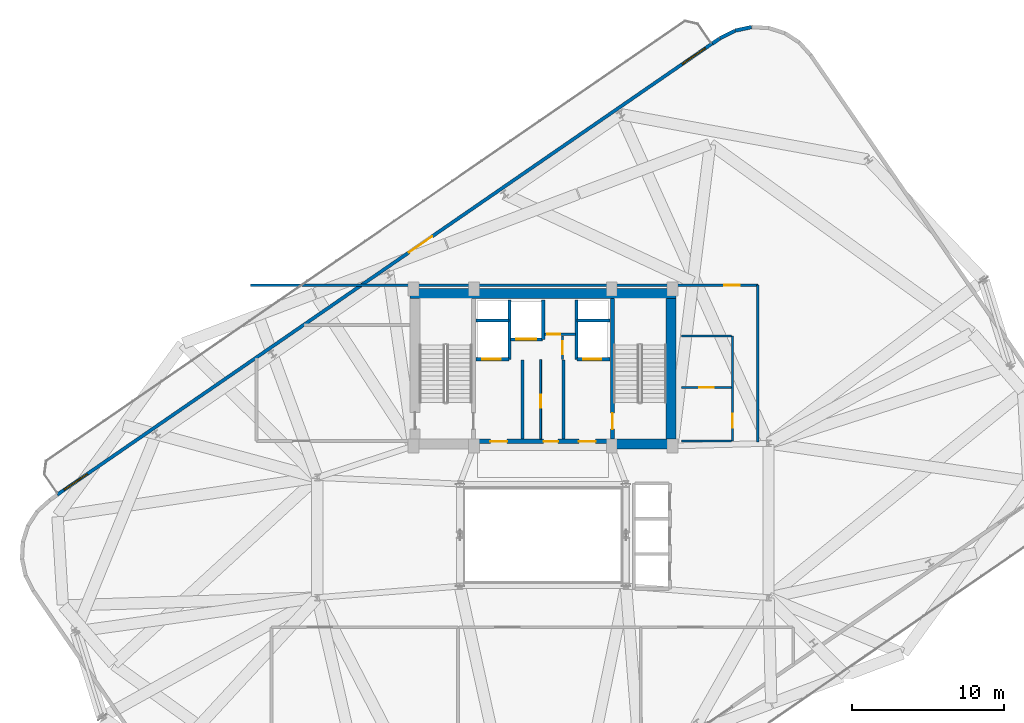
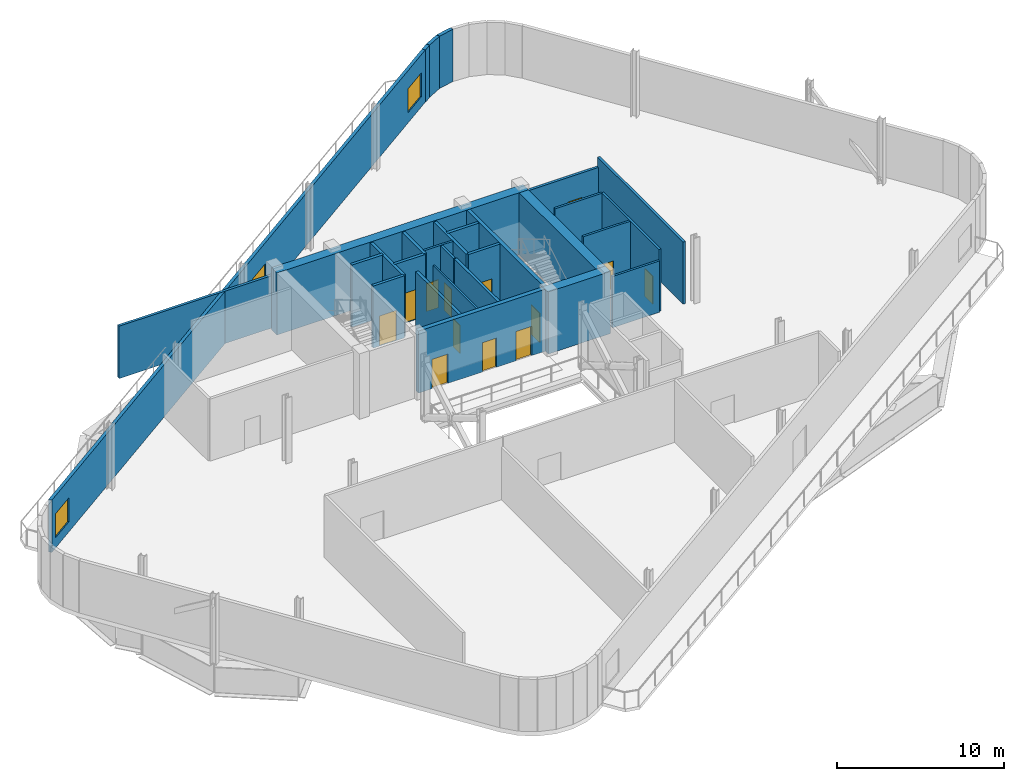
# One storey, part 8 of 13: 28 walls, 14 doors, 2 windows, 16 openings.
"""IFC4 building model written with IfcOpenShell, lengths in metres."""

from ifc_helpers import new_model, si_unit, direction, frame, frame_2d, origin, place, context, subcontext, project, spatial, rectangle, extrude, material, layer, layer_set, type_object, element, fill, save


model = new_model("IFC4")

# Units and contexts
model_context = context("Model", 3, precision=1e-05, world=origin(), true_north=direction((0.0, 1.0)))
body_context = subcontext(model_context, "Body", "Model", "MODEL_VIEW")
ifc_project = project(units=[si_unit("LENGTHUNIT", "METRE"), si_unit("AREAUNIT", "SQUARE_METRE"), si_unit("VOLUMEUNIT", "CUBIC_METRE"), si_unit("PLANEANGLEUNIT", "RADIAN"), si_unit("MASSUNIT", "GRAM", prefix="KILO")], contexts=[model_context])

# Site, building, storey
site_placement = place(None, origin())
site = spatial("IfcSite", under=ifc_project, at=site_placement, CompositionType="ELEMENT")
building_placement = place(site_placement, origin())
building = spatial("IfcBuilding", under=site, at=building_placement, Name="Varnelok Gate Tower", CompositionType="ELEMENT")
storey_placement = place(building_placement, frame((0.0, 0.0, 253.39990234375)))
storey = spatial("IfcBuildingStorey", under=building, at=storey_placement, Name="L65", CompositionType="ELEMENT", Elevation=253.39990234375)

# Wall, openings, door, windows
ifc_material_1 = material(Name="Concrete C45/55", Category="concrete")
ifc_layer_1 = layer(ifc_material_1, 0.219970703125)
ifc_layer_set_1 = layer_set([ifc_layer_1], Name="Concrete C45/55")
wall_type_1 = type_object("IfcWallType", Name="EW-BALC-220", PredefinedType="SOLIDWALL", material=ifc_layer_set_1)
wall_1_placement = place(storey_placement, frame((7.33056640625, 25.556640625, 0.0), z_axis=(0.0, 0.0, 1.0), x_axis=(0.823530664362, 0.567271755735, 0.0)))
wall_1 = element("IfcWall", 1, at=wall_1_placement, inside=storey, type_object=wall_type_1, Name="L65 North Terrace Envelope Wall 2", PredefinedType="SOLIDWALL", context=body_context, shape_type="SweptSolid", body=[
    extrude(rectangle(XDim=52.199951171875, YDim=0.219970703125, at=frame_2d((26.10009765625, 0.0))), origin(), (0.0, 0.0, 1.0), 3.830078125),
])
opening_1_placement = place(wall_1_placement, frame((28.025146484375, 0.0, 0.0)))
opening_1 = element("IfcOpeningElement", 2, at=opening_1_placement, cuts=wall_1, Name="Opening SGD-1", PredefinedType="OPENING", context=body_context, shape_type="SweptSolid", body=[
    extrude(rectangle(XDim=1.85009765625, YDim=2.300048828125, at=frame_2d((0.925048828125, 1.14990234375))), frame((0.0, 0.119873046875, 0.0), z_axis=(0.0, -1.0, 0.0), x_axis=(1.0, 0.0, 0.0)), (0.0, 0.0, 1.0), 0.239990234375),
])
opening_2_placement = place(wall_1_placement, frame((0.550048828125, 0.0, 0.75)))
opening_2 = element("IfcOpeningElement", 3, at=opening_2_placement, cuts=wall_1, Name="Opening WN5", PredefinedType="OPENING", context=body_context, shape_type="SweptSolid", body=[
    extrude(rectangle(XDim=1.85009765625, YDim=1.75, at=frame_2d((0.925048828125, 0.875))), frame((0.0, 0.119873046875, 0.0), z_axis=(0.0, -1.0, 0.0), x_axis=(1.0, 0.0, 0.0)), (0.0, 0.0, 1.0), 0.239990234375),
])
opening_3_placement = place(wall_1_placement, frame((49.800048828125, 0.0, 0.75)))
opening_3 = element("IfcOpeningElement", 4, at=opening_3_placement, cuts=wall_1, Name="Opening WN5", PredefinedType="OPENING", context=body_context, shape_type="SweptSolid", body=[
    extrude(rectangle(XDim=1.85009765625, YDim=1.75, at=frame_2d((0.925048828125, 0.875))), frame((0.0, 0.119873046875, 0.0), z_axis=(0.0, -1.0, 0.0), x_axis=(1.0, 0.0, 0.0)), (0.0, 0.0, 1.0), 0.239990234375),
])
ifc_material_2 = material(Name="Anodized Aluminum Alloy 6063-T6", Category="aluminium")
door_type_1 = type_object("IfcDoorType", Name="DR-EXT-SKYG1850", OperationType="DOUBLE_DOOR_SINGLE_SWING", PredefinedType="DOOR", material=ifc_material_2)
door_1_placement = place(opening_1_placement, origin())
door_1 = element("IfcDoor", 5, at=door_1_placement, inside=storey, type_object=door_type_1, Name="L65 North Sky Garden Glazed Door 2", OperationType="DOUBLE_DOOR_SINGLE_SWING", OverallHeight=2.300048828125, OverallWidth=1.85009765625, PredefinedType="DOOR", context=body_context, shape_type="SweptSolid", body=[
    extrude(rectangle(XDim=1.85009765625, YDim=2.300048828125, at=frame_2d((0.925048828125, 1.14990234375))), frame((0.0, 0.02490234375, 0.0), z_axis=(0.0, -1.0, 0.0), x_axis=(1.0, 0.0, 0.0)), (0.0, 0.0, 1.0), 0.050048828125),
])
fill(opening_1, door_1)
ifc_material_3 = material(Name="Low-E Laminated Double Glazing IGU", Category="glass")
window_type = type_object("IfcWindowType", Name="WN-RES-1850", PartitioningType="SINGLE_PANEL", PredefinedType="WINDOW", material=ifc_material_3)
window_1_placement = place(opening_2_placement, origin())
window_1 = element("IfcWindow", 6, at=window_1_placement, inside=storey, type_object=window_type, Name="L65 North Vision Window 2.1", OverallHeight=1.75, OverallWidth=1.85009765625, PartitioningType="SINGLE_PANEL", PredefinedType="WINDOW", context=body_context, shape_type="SweptSolid", body=[
    extrude(rectangle(XDim=1.85009765625, YDim=1.75, at=frame_2d((0.925048828125, 0.875))), frame((0.0, 0.030029296875, 0.0), z_axis=(0.0, -1.0, 0.0), x_axis=(1.0, 0.0, 0.0)), (0.0, 0.0, 1.0), 0.06005859375),
])
fill(opening_2, window_1)
window_2_placement = place(opening_3_placement, origin())
window_2 = element("IfcWindow", 7, at=window_2_placement, inside=storey, type_object=window_type, Name="L65 North Vision Window 2.2", OverallHeight=1.75, OverallWidth=1.85009765625, PartitioningType="SINGLE_PANEL", PredefinedType="WINDOW", context=body_context, shape_type="SweptSolid", body=[
    extrude(rectangle(XDim=1.85009765625, YDim=1.75, at=frame_2d((0.925048828125, 0.875))), frame((0.0, 0.030029296875, 0.0), z_axis=(0.0, -1.0, 0.0), x_axis=(1.0, 0.0, 0.0)), (0.0, 0.0, 1.0), 0.06005859375),
])
fill(opening_3, window_2)

# Walls
ifc_layer_2 = layer(ifc_material_1, 0.239990234375)
ifc_layer_set_2 = layer_set([ifc_layer_2], Name="Concrete C45/55")
wall_type_2 = type_object("IfcWallType", Name="EW-PLANT-240", PredefinedType="SOLIDWALL", material=ifc_layer_set_2)
wall_2_placement = place(storey_placement, frame((52.8818359375, 56.235595703125, 0.0), z_axis=(0.0, 0.0, 1.0), x_axis=(-0.977952671439, -0.208826656407, 0.0)))
element("IfcWall", 8, at=wall_2_placement, inside=storey, type_object=wall_type_2, Name="L65 Perimeter Facade Closure Wall 20", PredefinedType="SOLIDWALL", context=body_context, shape_type="SweptSolid", body=[
    extrude(rectangle(XDim=1.092041015625, YDim=0.239990234375, at=frame_2d((0.5458984375, 0.0))), origin(), (0.0, 0.0, 1.0), 3.830078125),
])
wall_3_placement = place(storey_placement, frame((51.791748046875, 55.99609375, 0.0), z_axis=(0.0, 0.0, 1.0), x_axis=(-0.890576569363, -0.454833347613, 0.0)))
element("IfcWall", 9, at=wall_3_placement, inside=storey, type_object=wall_type_2, Name="L65 Perimeter Facade Closure Wall 21", PredefinedType="SOLIDWALL", context=body_context, shape_type="SweptSolid", body=[
    extrude(rectangle(XDim=1.099853515625, YDim=0.239990234375, at=frame_2d((0.5498046875, 0.0))), origin(), (0.0, 0.0, 1.0), 3.830078125),
])
wall_4_placement = place(storey_placement, frame((50.79150390625, 55.481689453125, 0.0), z_axis=(0.0, 0.0, 1.0), x_axis=(-0.823476316925, -0.567350645953, 0.0)))
element("IfcWall", 10, at=wall_4_placement, inside=storey, type_object=wall_type_2, Name="L65 Perimeter Facade Closure Wall 22", PredefinedType="SOLIDWALL", context=body_context, shape_type="SweptSolid", body=[
    extrude(rectangle(XDim=0.567138671875, YDim=0.239990234375, at=frame_2d((0.28369140625, 0.0))), origin(), (0.0, 0.0, 1.0), 3.830078125),
])

# Wall, opening, door
ifc_material_4 = material(Name="Gypsum Plasterboard Acoustic Partition", Category="gypsum")
ifc_layer_3 = layer(ifc_material_4, 0.179931640625)
ifc_layer_set_3 = layer_set([ifc_layer_3], Name="Gypsum Plasterboard Acoustic Partition")
wall_type_3 = type_object("IfcWallType", Name="PW-CORR-180", PredefinedType="PARTITIONING", material=ifc_layer_set_3)
wall_5_placement = place(storey_placement, frame((20.0, 39.300048828125, 0.0), z_axis=(0.0, 0.0, 1.0), x_axis=(1.0, 0.0, 0.0)))
wall_5 = element("IfcWall", 11, at=wall_5_placement, inside=storey, type_object=wall_type_3, Name="Interior Partition", PredefinedType="PARTITIONING", context=body_context, shape_type="SweptSolid", body=[
    extrude(rectangle(XDim=33.300048828125, YDim=0.179931640625, at=frame_2d((16.64990234375, 0.0))), origin(), (0.0, 0.0, 1.0), 3.839111328125),
])
opening_4_placement = place(wall_5_placement, frame((31.10009765625, 0.0, 0.0)))
opening_4 = element("IfcOpeningElement", 12, at=opening_4_placement, cuts=wall_5, Name="Opening D-I1", PredefinedType="OPENING", context=body_context, shape_type="SweptSolid", body=[
    extrude(rectangle(XDim=1.0, YDim=2.050048828125, at=frame_2d((0.5, 1.02490234375))), frame((0.0, 0.099853515625, 0.0), z_axis=(0.0, -1.0, 0.0), x_axis=(1.0, 0.0, 0.0)), (0.0, 0.0, 1.0), 0.199951171875),
])
ifc_material_5 = material(Name="Engineered Hardwood Timber", Category="wood")
door_type_2 = type_object("IfcDoorType", Name="DR-INT-1000", OperationType="NOTDEFINED", PredefinedType="DOOR", material=ifc_material_5)
door_2_placement = place(opening_4_placement, origin())
door_2 = element("IfcDoor", 13, at=door_2_placement, inside=storey, type_object=door_type_2, Name="L65 Sky Garden Lounge Door", OperationType="SINGLE_SWING_LEFT", OverallHeight=2.050048828125, OverallWidth=1.0, PredefinedType="DOOR", context=body_context, shape_type="SweptSolid", body=[
    extrude(rectangle(XDim=1.0, YDim=2.050048828125, at=frame_2d((0.5, 1.02490234375))), frame((0.0, 0.02490234375, 0.0), z_axis=(0.0, -1.0, 0.0), x_axis=(1.0, 0.0, 0.0)), (0.0, 0.0, 1.0), 0.050048828125),
])
fill(opening_4, door_2)

# Wall
wall_6_placement = place(storey_placement, frame((53.300048828125, 29.02001953125, 0.0), z_axis=(0.0, 0.0, 1.0), x_axis=(0.0, 1.0, 0.0)))
element("IfcWall", 14, at=wall_6_placement, inside=storey, type_object=wall_type_3, Name="Interior Partition", PredefinedType="PARTITIONING", context=body_context, shape_type="SweptSolid", body=[
    extrude(rectangle(XDim=10.280029296875, YDim=0.179931640625, at=frame_2d((5.14013671875, 0.0))), origin(), (0.0, 0.0, 1.0), 4.550048828125),
])

# Wall, opening, door
ifc_layer_4 = layer(ifc_material_4, 0.125)
ifc_layer_set_4 = layer_set([ifc_layer_4], Name="Gypsum Plasterboard Acoustic Partition")
wall_type_4 = type_object("IfcWallType", Name="PW-PART-125", PredefinedType="PARTITIONING", material=ifc_layer_set_4)
wall_7_placement = place(storey_placement, frame((39.050048828125, 29.199951171875, 0.0), z_axis=(0.0, 0.0, 1.0), x_axis=(0.0, 1.0, 0.0)))
wall_7 = element("IfcWall", 15, at=wall_7_placement, inside=storey, type_object=wall_type_4, Name="Interior Partition", PredefinedType="PARTITIONING", context=body_context, shape_type="SweptSolid", body=[
    extrude(rectangle(XDim=5.219970703125, YDim=0.125, at=frame_2d((2.60986328125, 0.0))), origin(), (0.0, 0.0, 1.0), 4.550048828125),
])
opening_5_placement = place(wall_7_placement, frame((2.050048828125, 0.0, 0.0)))
opening_5 = element("IfcOpeningElement", 16, at=opening_5_placement, cuts=wall_7, Name="Opening D-RS", PredefinedType="OPENING", context=body_context, shape_type="SweptSolid", body=[
    extrude(rectangle(XDim=0.85009765625, YDim=2.050048828125, at=frame_2d((0.425048828125, 1.02490234375))), frame((0.0, 0.072509765625, 0.0), z_axis=(0.0, -1.0, 0.0), x_axis=(1.0, 0.0, 0.0)), (0.0, 0.0, 1.0), 0.14501953125),
])
ifc_material_6 = material(Name="Galvanized Steel Grade S350GD", Category="steel")
door_type_3 = type_object("IfcDoorType", Name="DR-RISER-850", OperationType="NOTDEFINED", PredefinedType="DOOR", material=ifc_material_6)
door_3_placement = place(opening_5_placement, origin())
door_3 = element("IfcDoor", 17, at=door_3_placement, inside=storey, type_object=door_type_3, Name="L65 Housekeeping Linen Door", OperationType="SINGLE_SWING_LEFT", OverallHeight=2.050048828125, OverallWidth=0.85009765625, PredefinedType="DOOR", context=body_context, shape_type="SweptSolid", body=[
    extrude(rectangle(XDim=0.85009765625, YDim=2.050048828125, at=frame_2d((0.425048828125, 1.02490234375))), frame((0.0, 0.02490234375, 0.0), z_axis=(0.0, -1.0, 0.0), x_axis=(1.0, 0.0, 0.0)), (0.0, 0.0, 1.0), 0.050048828125),
])
fill(opening_5, door_3)

ifc_layer_5 = layer(ifc_material_4, 0.14990234375)
ifc_layer_set_5 = layer_set([ifc_layer_5], Name="Gypsum Plasterboard Acoustic Partition")
wall_type_5 = type_object("IfcWallType", Name="PW-PART-150", PredefinedType="PARTITIONING", material=ifc_layer_set_5)
wall_8_placement = place(storey_placement, frame((39.300048828125, 36.080078125, 0.0), z_axis=(0.0, 0.0, 1.0), x_axis=(1.0, 0.0, 0.0)))
wall_8 = element("IfcWall", 18, at=wall_8_placement, inside=storey, type_object=wall_type_5, Name="L65 Electrical Closet South Wall", PredefinedType="PARTITIONING", context=body_context, shape_type="SweptSolid", body=[
    extrude(rectangle(XDim=2.02001953125, YDim=0.14990234375, at=frame_2d((1.010009765625, 0.0))), origin(), (0.0, 0.0, 1.0), 4.550048828125),
])
opening_6_placement = place(wall_8_placement, frame((0.179931640625, 0.0, 0.0)))
opening_6 = element("IfcOpeningElement", 19, at=opening_6_placement, cuts=wall_8, Name="Opening D-RS", PredefinedType="OPENING", context=body_context, shape_type="SweptSolid", body=[
    extrude(rectangle(XDim=0.85009765625, YDim=2.050048828125, at=frame_2d((0.425048828125, 1.02490234375))), frame((0.0, 0.0849609375, 0.0), z_axis=(0.0, -1.0, 0.0), x_axis=(1.0, 0.0, 0.0)), (0.0, 0.0, 1.0), 0.169921875),
])
door_4_placement = place(opening_6_placement, origin())
door_4 = element("IfcDoor", 20, at=door_4_placement, inside=storey, type_object=door_type_3, Name="L65 Electrical Closet Door", OperationType="SINGLE_SWING_RIGHT", OverallHeight=2.050048828125, OverallWidth=0.85009765625, PredefinedType="DOOR", context=body_context, shape_type="SweptSolid", body=[
    extrude(rectangle(XDim=0.85009765625, YDim=2.050048828125, at=frame_2d((0.425048828125, 1.02490234375))), frame((0.0, 0.02490234375, 0.0), z_axis=(0.0, -1.0, 0.0), x_axis=(1.0, 0.0, 0.0)), (0.0, 0.0, 1.0), 0.050048828125),
])
fill(opening_6, door_4)

wall_9_placement = place(storey_placement, frame((40.47998046875, 34.43994140625, 0.0), z_axis=(0.0, 0.0, 1.0), x_axis=(0.0, 1.0, 0.0)))
wall_9 = element("IfcWall", 21, at=wall_9_placement, inside=storey, type_object=wall_type_5, Name="L65 Telecoms Closet West Wall", PredefinedType="PARTITIONING", context=body_context, shape_type="SweptSolid", body=[
    extrude(rectangle(XDim=1.52001953125, YDim=0.14990234375, at=frame_2d((0.760009765625, 0.0))), origin(), (0.0, 0.0, 1.0), 4.550048828125),
])
opening_7_placement = place(wall_9_placement, frame((0.320068359375, 0.0, 0.0)))
opening_7 = element("IfcOpeningElement", 22, at=opening_7_placement, cuts=wall_9, Name="Opening D-RS", PredefinedType="OPENING", context=body_context, shape_type="SweptSolid", body=[
    extrude(rectangle(XDim=0.85009765625, YDim=2.050048828125, at=frame_2d((0.425048828125, 1.02490234375))), frame((0.0, 0.0849609375, 0.0), z_axis=(0.0, -1.0, 0.0), x_axis=(1.0, 0.0, 0.0)), (0.0, 0.0, 1.0), 0.169921875),
])
door_5_placement = place(opening_7_placement, origin())
door_5 = element("IfcDoor", 23, at=door_5_placement, inside=storey, type_object=door_type_3, Name="L65 Telecoms Closet Door", OperationType="SINGLE_SWING_LEFT", OverallHeight=2.050048828125, OverallWidth=0.85009765625, PredefinedType="DOOR", context=body_context, shape_type="SweptSolid", body=[
    extrude(rectangle(XDim=0.85009765625, YDim=2.050048828125, at=frame_2d((0.425048828125, 1.02490234375))), frame((0.0, 0.02490234375, 0.0), z_axis=(0.0, -1.0, 0.0), x_axis=(1.0, 0.0, 0.0)), (0.0, 0.0, 1.0), 0.050048828125),
])
fill(opening_7, door_5)

wall_10_placement = place(storey_placement, frame((48.300048828125, 32.580078125, 0.0), z_axis=(0.0, 0.0, 1.0), x_axis=(1.0, 0.0, 0.0)))
wall_10 = element("IfcWall", 24, at=wall_10_placement, inside=storey, type_object=wall_type_5, Name="Interior Partition", PredefinedType="PARTITIONING", context=body_context, shape_type="SweptSolid", body=[
    extrude(rectangle(XDim=3.280029296875, YDim=0.14990234375, at=frame_2d((1.64013671875, 0.0))), origin(), (0.0, 0.0, 1.0), 4.550048828125),
])
opening_8_placement = place(wall_10_placement, frame((1.14990234375, 0.0, 0.0)))
opening_8 = element("IfcOpeningElement", 25, at=opening_8_placement, cuts=wall_10, Name="Opening D-I2", PredefinedType="OPENING", context=body_context, shape_type="SweptSolid", body=[
    extrude(rectangle(XDim=0.949951171875, YDim=2.050048828125, at=frame_2d((0.47509765625, 1.02490234375))), frame((0.0, 0.0849609375, 0.0), z_axis=(0.0, -1.0, 0.0), x_axis=(1.0, 0.0, 0.0)), (0.0, 0.0, 1.0), 0.169921875),
])
door_type_4 = type_object("IfcDoorType", Name="DR-INT-950", OperationType="NOTDEFINED", PredefinedType="DOOR", material=ifc_material_5)
door_6_placement = place(opening_8_placement, origin())
door_6 = element("IfcDoor", 26, at=door_6_placement, inside=storey, type_object=door_type_4, Name="L65 Reclaimed Trunk Storage Door", OperationType="SINGLE_SWING_LEFT", OverallHeight=2.050048828125, OverallWidth=0.949951171875, PredefinedType="DOOR", context=body_context, shape_type="SweptSolid", body=[
    extrude(rectangle(XDim=0.949951171875, YDim=2.050048828125, at=frame_2d((0.47509765625, 1.02490234375))), frame((0.0, 0.02490234375, 0.0), z_axis=(0.0, -1.0, 0.0), x_axis=(1.0, 0.0, 0.0)), (0.0, 0.0, 1.0), 0.050048828125),
])
fill(opening_8, door_6)

# Walls
wall_11_placement = place(storey_placement, frame((48.300048828125, 29.080078125, 0.0), z_axis=(0.0, 0.0, 1.0), x_axis=(1.0, 0.0, 0.0)))
element("IfcWall", 27, at=wall_11_placement, inside=storey, type_object=wall_type_5, Name="Interior Partition", PredefinedType="PARTITIONING", context=body_context, shape_type="SweptSolid", body=[
    extrude(rectangle(XDim=3.280029296875, YDim=0.14990234375, at=frame_2d((1.64013671875, 0.0))), origin(), (0.0, 0.0, 1.0), 3.76220703125),
])
wall_12_placement = place(storey_placement, frame((48.300048828125, 35.9599609375, 0.0), z_axis=(0.0, 0.0, 1.0), x_axis=(1.0, 0.0, 0.0)))
element("IfcWall", 28, at=wall_12_placement, inside=storey, type_object=wall_type_5, Name="Interior Partition", PredefinedType="PARTITIONING", context=body_context, shape_type="SweptSolid", body=[
    extrude(rectangle(XDim=3.280029296875, YDim=0.14990234375, at=frame_2d((1.64013671875, 0.0))), origin(), (0.0, 0.0, 1.0), 4.550048828125),
])

# Wall, opening, door
wall_13_placement = place(storey_placement, frame((51.639892578125, 29.080078125, 0.0), z_axis=(0.0, 0.0, 1.0), x_axis=(0.0, 1.0, 0.0)))
wall_13 = element("IfcWall", 29, at=wall_13_placement, inside=storey, type_object=wall_type_5, Name="Interior Partition", PredefinedType="PARTITIONING", context=body_context, shape_type="SweptSolid", body=[
    extrude(rectangle(XDim=6.8798828125, YDim=0.14990234375, at=frame_2d((3.43994140625, 0.0))), origin(), (0.0, 0.0, 1.0), 4.550048828125),
])
opening_9_placement = place(wall_13_placement, frame((0.85009765625, 0.0, 0.0)))
opening_9 = element("IfcOpeningElement", 30, at=opening_9_placement, cuts=wall_13, Name="Opening D-I2", PredefinedType="OPENING", context=body_context, shape_type="SweptSolid", body=[
    extrude(rectangle(XDim=0.949951171875, YDim=2.050048828125, at=frame_2d((0.47509765625, 1.02490234375))), frame((0.0, 0.0849609375, 0.0), z_axis=(0.0, -1.0, 0.0), x_axis=(1.0, 0.0, 0.0)), (0.0, 0.0, 1.0), 0.169921875),
])
door_7_placement = place(opening_9_placement, origin())
door_7 = element("IfcDoor", 31, at=door_7_placement, inside=storey, type_object=door_type_4, Name="L65 Reclaimed Wine Storage Door", OperationType="SINGLE_SWING_RIGHT", OverallHeight=2.050048828125, OverallWidth=0.949951171875, PredefinedType="DOOR", context=body_context, shape_type="SweptSolid", body=[
    extrude(rectangle(XDim=0.949951171875, YDim=2.050048828125, at=frame_2d((0.47509765625, 1.02490234375))), frame((0.0, 0.02490234375, 0.0), z_axis=(0.0, -1.0, 0.0), x_axis=(1.0, 0.0, 0.0)), (0.0, 0.0, 1.0), 0.050048828125),
])
fill(opening_9, door_7)

# Walls
ifc_material_7 = material(Name="Concrete C35/45", Category="concrete")
ifc_layer_6 = layer(ifc_material_7, 0.199951171875)
ifc_layer_set_6 = layer_set([ifc_layer_6], Name="Concrete C35/45")
wall_type_6 = type_object("IfcWallType", Name="PW-SHAFT-200", PredefinedType="PARTITIONING", material=ifc_layer_set_6)
for number, where, z_axis, x_axis, name in (
    (32, (37.860107421875, 29.199951171875, 0.0), (0.0, 0.0, 1.0), (0.0, 1.0, 0.0), "L65 West FF Lobby Rated Wall"),
    (33, (40.5400390625, 29.199951171875, 0.0), (0.0, 0.0, 1.0), (0.0, 1.0, 0.0), "L65 East FF Lobby Rated Wall"),
):
    element("IfcWall", number, at=place(storey_placement, frame(where, z_axis=z_axis, x_axis=x_axis)), inside=storey, type_object=wall_type_6, Name=name, PredefinedType="PARTITIONING", context=body_context, shape_type="SweptSolid", body=[
        extrude(rectangle(XDim=5.179931640625, YDim=0.199951171875, at=frame_2d((2.58984375, 0.0))), origin(), (0.0, 0.0, 1.0), 4.550048828125),
    ])

# Wall, opening, door
wall_14_placement = place(storey_placement, frame((34.800048828125, 34.43994140625, 0.0), z_axis=(0.0, 0.0, 1.0), x_axis=(1.0, 0.0, 0.0)))
wall_14 = element("IfcWall", 34, at=wall_14_placement, inside=storey, type_object=wall_type_6, Name="L65 FF1 Shaft Front Wall", PredefinedType="PARTITIONING", context=body_context, shape_type="SweptSolid", body=[
    extrude(rectangle(XDim=2.179931640625, YDim=0.199951171875, at=frame_2d((1.08984375, 0.0))), origin(), (0.0, 0.0, 1.0), 4.550048828125),
])
opening_10_placement = place(wall_14_placement, frame((0.419921875, 0.0, 0.0)))
opening_10 = element("IfcOpeningElement", 35, at=opening_10_placement, cuts=wall_14, Name="Opening LD-FF1", PredefinedType="OPENING", context=body_context, shape_type="SweptSolid", body=[
    extrude(rectangle(XDim=1.199951171875, YDim=2.199951171875, at=frame_2d((0.60009765625, 1.10009765625))), frame((0.0, 0.10986328125, 0.0), z_axis=(0.0, -1.0, 0.0), x_axis=(1.0, 0.0, 0.0)), (0.0, 0.0, 1.0), 0.219970703125),
])
door_type_5 = type_object("IfcDoorType", Name="DR-LIFT-FF1200", OperationType="SLIDING_TO_LEFT", PredefinedType="DOOR", material=ifc_material_6)
door_8_placement = place(opening_10_placement, origin())
door_8 = element("IfcDoor", 36, at=door_8_placement, inside=storey, type_object=door_type_5, Name="L65 Firefighting Lift Landing Door LD-FF1", OperationType="SLIDING_TO_LEFT", OverallHeight=2.199951171875, OverallWidth=1.199951171875, PredefinedType="DOOR", context=body_context, shape_type="SweptSolid", body=[
    extrude(rectangle(XDim=1.199951171875, YDim=2.199951171875, at=frame_2d((0.60009765625, 1.10009765625))), frame((0.0, 0.02490234375, 0.0), z_axis=(0.0, -1.0, 0.0), x_axis=(1.0, 0.0, 0.0)), (0.0, 0.0, 1.0), 0.050048828125),
])
fill(opening_10, door_8)

# Walls
wall_15_placement = place(storey_placement, frame((34.800048828125, 36.97998046875, 0.0), z_axis=(0.0, 0.0, 1.0), x_axis=(1.0, 0.0, 0.0)))
element("IfcWall", 37, at=wall_15_placement, inside=storey, type_object=wall_type_6, Name="L65 FF1 Shaft North Wall", PredefinedType="PARTITIONING", context=body_context, shape_type="SweptSolid", body=[
    extrude(rectangle(XDim=2.179931640625, YDim=0.199951171875, at=frame_2d((1.08984375, 0.0))), origin(), (0.0, 0.0, 1.0), 4.550048828125),
])
wall_16_placement = place(storey_placement, frame((37.0, 34.43994140625, 0.0), z_axis=(0.0, 0.0, 1.0), x_axis=(0.0, 1.0, 0.0)))
element("IfcWall", 38, at=wall_16_placement, inside=storey, type_object=wall_type_6, Name="L65 FF1 Shaft Side Wall", PredefinedType="PARTITIONING", context=body_context, shape_type="SweptSolid", body=[
    extrude(rectangle(XDim=3.900146484375, YDim=0.199951171875, at=frame_2d((1.9501953125, 0.0))), origin(), (0.0, 0.0, 1.0), 4.550048828125),
])

# Wall, opening, door
wall_17_placement = place(storey_placement, frame((41.419921875, 34.43994140625, 0.0), z_axis=(0.0, 0.0, 1.0), x_axis=(1.0, 0.0, 0.0)))
wall_17 = element("IfcWall", 39, at=wall_17_placement, inside=storey, type_object=wall_type_6, Name="L65 FF2 Shaft Front Wall", PredefinedType="PARTITIONING", context=body_context, shape_type="SweptSolid", body=[
    extrude(rectangle(XDim=2.18017578125, YDim=0.199951171875, at=frame_2d((1.090087890625, 0.0))), origin(), (0.0, 0.0, 1.0), 4.550048828125),
])
opening_11_placement = place(wall_17_placement, frame((0.419921875, 0.0, 0.0)))
opening_11 = element("IfcOpeningElement", 40, at=opening_11_placement, cuts=wall_17, Name="Opening LD-FF2", PredefinedType="OPENING", context=body_context, shape_type="SweptSolid", body=[
    extrude(rectangle(XDim=1.199951171875, YDim=2.199951171875, at=frame_2d((0.60009765625, 1.10009765625))), frame((0.0, 0.10986328125, 0.0), z_axis=(0.0, -1.0, 0.0), x_axis=(1.0, 0.0, 0.0)), (0.0, 0.0, 1.0), 0.219970703125),
])
door_9_placement = place(opening_11_placement, origin())
door_9 = element("IfcDoor", 41, at=door_9_placement, inside=storey, type_object=door_type_5, Name="L65 Firefighting Lift Landing Door LD-FF2", OperationType="SLIDING_TO_LEFT", OverallHeight=2.199951171875, OverallWidth=1.199951171875, PredefinedType="DOOR", context=body_context, shape_type="SweptSolid", body=[
    extrude(rectangle(XDim=1.199951171875, YDim=2.199951171875, at=frame_2d((0.60009765625, 1.10009765625))), frame((0.0, 0.02490234375, 0.0), z_axis=(0.0, -1.0, 0.0), x_axis=(1.0, 0.0, 0.0)), (0.0, 0.0, 1.0), 0.050048828125),
])
fill(opening_11, door_9)

# Walls
wall_18_placement = place(storey_placement, frame((41.419921875, 36.97998046875, 0.0), z_axis=(0.0, 0.0, 1.0), x_axis=(1.0, 0.0, 0.0)))
element("IfcWall", 42, at=wall_18_placement, inside=storey, type_object=wall_type_6, Name="L65 FF2 Shaft North Wall", PredefinedType="PARTITIONING", context=body_context, shape_type="SweptSolid", body=[
    extrude(rectangle(XDim=2.18017578125, YDim=0.199951171875, at=frame_2d((1.090087890625, 0.0))), origin(), (0.0, 0.0, 1.0), 4.550048828125),
])
wall_19_placement = place(storey_placement, frame((41.39990234375, 34.43994140625, 0.0), z_axis=(0.0, 0.0, 1.0), x_axis=(0.0, 1.0, 0.0)))
element("IfcWall", 43, at=wall_19_placement, inside=storey, type_object=wall_type_6, Name="L65 FF2 Shaft Side Wall", PredefinedType="PARTITIONING", context=body_context, shape_type="SweptSolid", body=[
    extrude(rectangle(XDim=3.900146484375, YDim=0.199951171875, at=frame_2d((1.9501953125, 0.0))), origin(), (0.0, 0.0, 1.0), 4.550048828125),
])

# Wall, opening, door
wall_20_placement = place(storey_placement, frame((37.06005859375, 35.75, 0.0), z_axis=(0.0, 0.0, 1.0), x_axis=(1.0, 0.0, 0.0)))
wall_20 = element("IfcWall", 44, at=wall_20_placement, inside=storey, type_object=wall_type_6, Name="L65 SV1 Shaft Front Wall", PredefinedType="PARTITIONING", context=body_context, shape_type="SweptSolid", body=[
    extrude(rectangle(XDim=2.119873046875, YDim=0.199951171875, at=frame_2d((1.06005859375, 0.0))), origin(), (0.0, 0.0, 1.0), 4.550048828125),
])
opening_12_placement = place(wall_20_placement, frame((0.39990234375, 0.0, 0.0)))
opening_12 = element("IfcOpeningElement", 45, at=opening_12_placement, cuts=wall_20, Name="Opening LD-SV1", PredefinedType="OPENING", context=body_context, shape_type="SweptSolid", body=[
    extrude(rectangle(XDim=1.300048828125, YDim=2.199951171875, at=frame_2d((0.64990234375, 1.10009765625))), frame((0.0, 0.10986328125, 0.0), z_axis=(0.0, -1.0, 0.0), x_axis=(1.0, 0.0, 0.0)), (0.0, 0.0, 1.0), 0.219970703125),
])
door_type_6 = type_object("IfcDoorType", Name="DR-LIFT-SV1300", OperationType="SLIDING_TO_LEFT", PredefinedType="DOOR", material=ifc_material_6)
door_10_placement = place(opening_12_placement, origin())
door_10 = element("IfcDoor", 46, at=door_10_placement, inside=storey, type_object=door_type_6, Name="L65 Service Lift Landing Door LD-SV1", OperationType="SLIDING_TO_LEFT", OverallHeight=2.199951171875, OverallWidth=1.300048828125, PredefinedType="DOOR", context=body_context, shape_type="SweptSolid", body=[
    extrude(rectangle(XDim=1.300048828125, YDim=2.199951171875, at=frame_2d((0.64990234375, 1.10009765625))), frame((0.0, 0.02490234375, 0.0), z_axis=(0.0, -1.0, 0.0), x_axis=(1.0, 0.0, 0.0)), (0.0, 0.0, 1.0), 0.050048828125),
])
fill(opening_12, door_10)

# Walls
wall_21_placement = place(storey_placement, frame((39.219970703125, 35.75, 0.0), z_axis=(0.0, 0.0, 1.0), x_axis=(0.0, 1.0, 0.0)))
element("IfcWall", 47, at=wall_21_placement, inside=storey, type_object=wall_type_6, Name="L65 SV1 Shaft East Wall", PredefinedType="PARTITIONING", context=body_context, shape_type="SweptSolid", body=[
    extrude(rectangle(XDim=2.590087890625, YDim=0.199951171875, at=frame_2d((1.294921875, 0.0))), origin(), (0.0, 0.0, 1.0), 4.550048828125),
])
ifc_material_8 = material(Name="Concrete C60/75", Category="concrete")
ifc_layer_7 = layer(ifc_material_8, 0.64990234375)
ifc_layer_set_7 = layer_set([ifc_layer_7], Name="Concrete C60/75")
wall_type_7 = type_object("IfcWallType", Name="SW-CORE-650", PredefinedType="SHEAR", material=ifc_layer_set_7)
wall_22_placement = place(storey_placement, frame((30.47998046875, 38.7451171875, 0.0), z_axis=(0.0, 0.0, 1.0), x_axis=(1.0, 0.0, 0.0)))
element("IfcWall", 48, at=wall_22_placement, inside=storey, type_object=wall_type_7, Name="L65 Rear Core North Shear Wall", PredefinedType="SHEAR", context=body_context, shape_type="SweptSolid", body=[
    extrude(rectangle(XDim=17.43994140625, YDim=0.64990234375, at=frame_2d((8.719970703125, 0.0))), origin(), (0.0, 0.0, 1.0), 4.550048828125),
])
wall_23_placement = place(storey_placement, frame((47.594970703125, 29.199951171875, 0.0), z_axis=(0.0, 0.0, 1.0), x_axis=(0.0, 1.0, 0.0)))
element("IfcWall", 49, at=wall_23_placement, inside=storey, type_object=wall_type_7, Name="L65 Rear Core East Shear Wall", PredefinedType="SHEAR", context=body_context, shape_type="SweptSolid", body=[
    extrude(rectangle(XDim=9.219970703125, YDim=0.64990234375, at=frame_2d((4.60986328125, 0.0))), origin(), (0.0, 0.0, 1.0), 4.550048828125),
])
wall_24_placement = place(storey_placement, frame((43.60009765625, 28.875, 0.0), z_axis=(0.0, 0.0, 1.0), x_axis=(1.0, 0.0, 0.0)))
element("IfcWall", 50, at=wall_24_placement, inside=storey, type_object=wall_type_7, Name="L65 Rear Core South-East Shear Wall", PredefinedType="SHEAR", context=body_context, shape_type="SweptSolid", body=[
    extrude(rectangle(XDim=4.31982421875, YDim=0.64990234375, at=frame_2d((2.159912109375, 0.0))), origin(), (0.0, 0.0, 1.0), 4.550048828125),
])

# Wall, opening, door
ifc_layer_8 = layer(ifc_material_8, 0.25)
ifc_layer_set_8 = layer_set([ifc_layer_8], Name="Concrete C60/75")
wall_type_8 = type_object("IfcWallType", Name="SW-SHAFT-250", PredefinedType="SHEAR", material=ifc_layer_set_8)
wall_25_placement = place(storey_placement, frame((43.760009765625, 29.199951171875, 0.0), z_axis=(0.0, 0.0, 1.0), x_axis=(0.0, 1.0, 0.0)))
wall_25 = element("IfcWall", 51, at=wall_25_placement, inside=storey, type_object=wall_type_8, Name="L65 Stair ST-2 West Shear Wall", PredefinedType="SHEAR", context=body_context, shape_type="SweptSolid", body=[
    extrude(rectangle(XDim=9.219970703125, YDim=0.25, at=frame_2d((4.60986328125, 0.0))), origin(), (0.0, 0.0, 1.0), 4.550048828125),
])
opening_13_placement = place(wall_25_placement, frame((0.64990234375, 0.0, 0.0)))
opening_13 = element("IfcOpeningElement", 52, at=opening_13_placement, cuts=wall_25, Name="Opening D-ST", PredefinedType="OPENING", context=body_context, shape_type="SweptSolid", body=[
    extrude(rectangle(XDim=1.050048828125, YDim=2.14990234375, at=frame_2d((0.52490234375, 1.074951171875))), frame((0.0, 0.135009765625, 0.0), z_axis=(0.0, -1.0, 0.0), x_axis=(1.0, 0.0, 0.0)), (0.0, 0.0, 1.0), 0.27001953125),
])
door_type_7 = type_object("IfcDoorType", Name="DR-STAIR-1050", OperationType="NOTDEFINED", PredefinedType="DOOR", material=ifc_material_6)
door_11_placement = place(opening_13_placement, origin())
door_11 = element("IfcDoor", 53, at=door_11_placement, inside=storey, type_object=door_type_7, Name="L65 Exit Stair ST-2 Fire Door", OperationType="SINGLE_SWING_RIGHT", OverallHeight=2.14990234375, OverallWidth=1.050048828125, PredefinedType="DOOR", context=body_context, shape_type="SweptSolid", body=[
    extrude(rectangle(XDim=1.050048828125, YDim=2.14990234375, at=frame_2d((0.52490234375, 1.074951171875))), frame((0.0, 0.02490234375, 0.0), z_axis=(0.0, -1.0, 0.0), x_axis=(1.0, 0.0, 0.0)), (0.0, 0.0, 1.0), 0.050048828125),
])
fill(opening_13, door_11)

# Wall, openings, doors
ifc_layer_9 = layer(ifc_material_8, 0.300048828125)
ifc_layer_set_9 = layer_set([ifc_layer_9], Name="Concrete C60/75")
wall_type_9 = type_object("IfcWallType", Name="SW-SHAFT-300", PredefinedType="SHEAR", material=ifc_layer_set_9)
wall_26_placement = place(storey_placement, frame((34.800048828125, 29.050048828125, 0.0), z_axis=(0.0, 0.0, 1.0), x_axis=(1.0, 0.0, 0.0)))
wall_26 = element("IfcWall", 54, at=wall_26_placement, inside=storey, type_object=wall_type_9, Name="L65 Rear Core Central Lobby Shear Wall", PredefinedType="SHEAR", context=body_context, shape_type="SweptSolid", body=[
    extrude(rectangle(XDim=8.800048828125, YDim=0.300048828125, at=frame_2d((4.39990234375, 0.0))), origin(), (0.0, 0.0, 1.0), 4.550048828125),
])
opening_14_placement = place(wall_26_placement, frame((0.949951171875, 0.0, 0.0)))
opening_14 = element("IfcOpeningElement", 55, at=opening_14_placement, cuts=wall_26, Name="Opening D-FF", PredefinedType="OPENING", context=body_context, shape_type="SweptSolid", body=[
    extrude(rectangle(XDim=1.10009765625, YDim=2.14990234375, at=frame_2d((0.550048828125, 1.074951171875))), frame((0.0, 0.159912109375, 0.0), z_axis=(0.0, -1.0, 0.0), x_axis=(1.0, 0.0, 0.0)), (0.0, 0.0, 1.0), 0.320068359375),
])
opening_15_placement = place(wall_26_placement, frame((6.75, 0.0, 0.0)))
opening_15 = element("IfcOpeningElement", 56, at=opening_15_placement, cuts=wall_26, Name="Opening D-FF", PredefinedType="OPENING", context=body_context, shape_type="SweptSolid", body=[
    extrude(rectangle(XDim=1.10009765625, YDim=2.14990234375, at=frame_2d((0.550048828125, 1.074951171875))), frame((0.0, 0.159912109375, 0.0), z_axis=(0.0, -1.0, 0.0), x_axis=(1.0, 0.0, 0.0)), (0.0, 0.0, 1.0), 0.320068359375),
])
opening_16_placement = place(wall_26_placement, frame((4.449951171875, 0.0, 0.0)))
opening_16 = element("IfcOpeningElement", 57, at=opening_16_placement, cuts=wall_26, Name="Opening D-CR", PredefinedType="OPENING", context=body_context, shape_type="SweptSolid", body=[
    extrude(rectangle(XDim=0.949951171875, YDim=2.14990234375, at=frame_2d((0.47509765625, 1.074951171875))), frame((0.0, 0.159912109375, 0.0), z_axis=(0.0, -1.0, 0.0), x_axis=(1.0, 0.0, 0.0)), (0.0, 0.0, 1.0), 0.320068359375),
])
door_type_8 = type_object("IfcDoorType", Name="DR-CORR-950", OperationType="NOTDEFINED", PredefinedType="DOOR", material=ifc_material_6)
door_12_placement = place(opening_16_placement, origin())
door_12 = element("IfcDoor", 58, at=door_12_placement, inside=storey, type_object=door_type_8, Name="L65 Core Service Passage Door", OperationType="SINGLE_SWING_LEFT", OverallHeight=2.14990234375, OverallWidth=0.949951171875, PredefinedType="DOOR", context=body_context, shape_type="SweptSolid", body=[
    extrude(rectangle(XDim=0.949951171875, YDim=2.14990234375, at=frame_2d((0.47509765625, 1.074951171875))), frame((0.0, 0.02490234375, 0.0), z_axis=(0.0, -1.0, 0.0), x_axis=(1.0, 0.0, 0.0)), (0.0, 0.0, 1.0), 0.050048828125),
])
fill(opening_16, door_12)
door_type_9 = type_object("IfcDoorType", Name="DR-FFLOB-1100", OperationType="NOTDEFINED", PredefinedType="DOOR", material=ifc_material_6)
door_13_placement = place(opening_14_placement, origin())
door_13 = element("IfcDoor", 59, at=door_13_placement, inside=storey, type_object=door_type_9, Name="L65 West Firefighting Lobby Fire Door", OperationType="SINGLE_SWING_RIGHT", OverallHeight=2.14990234375, OverallWidth=1.10009765625, PredefinedType="DOOR", context=body_context, shape_type="SweptSolid", body=[
    extrude(rectangle(XDim=1.10009765625, YDim=2.14990234375, at=frame_2d((0.550048828125, 1.074951171875))), frame((0.0, 0.02490234375, 0.0), z_axis=(0.0, -1.0, 0.0), x_axis=(1.0, 0.0, 0.0)), (0.0, 0.0, 1.0), 0.050048828125),
])
fill(opening_14, door_13)
door_14_placement = place(opening_15_placement, origin())
door_14 = element("IfcDoor", 60, at=door_14_placement, inside=storey, type_object=door_type_9, Name="L65 East Firefighting Lobby Fire Door", OperationType="SINGLE_SWING_LEFT", OverallHeight=2.14990234375, OverallWidth=1.10009765625, PredefinedType="DOOR", context=body_context, shape_type="SweptSolid", body=[
    extrude(rectangle(XDim=1.10009765625, YDim=2.14990234375, at=frame_2d((0.550048828125, 1.074951171875))), frame((0.0, 0.02490234375, 0.0), z_axis=(0.0, -1.0, 0.0), x_axis=(1.0, 0.0, 0.0)), (0.0, 0.0, 1.0), 0.050048828125),
])
fill(opening_15, door_14)

save(model, "model.ifc")
